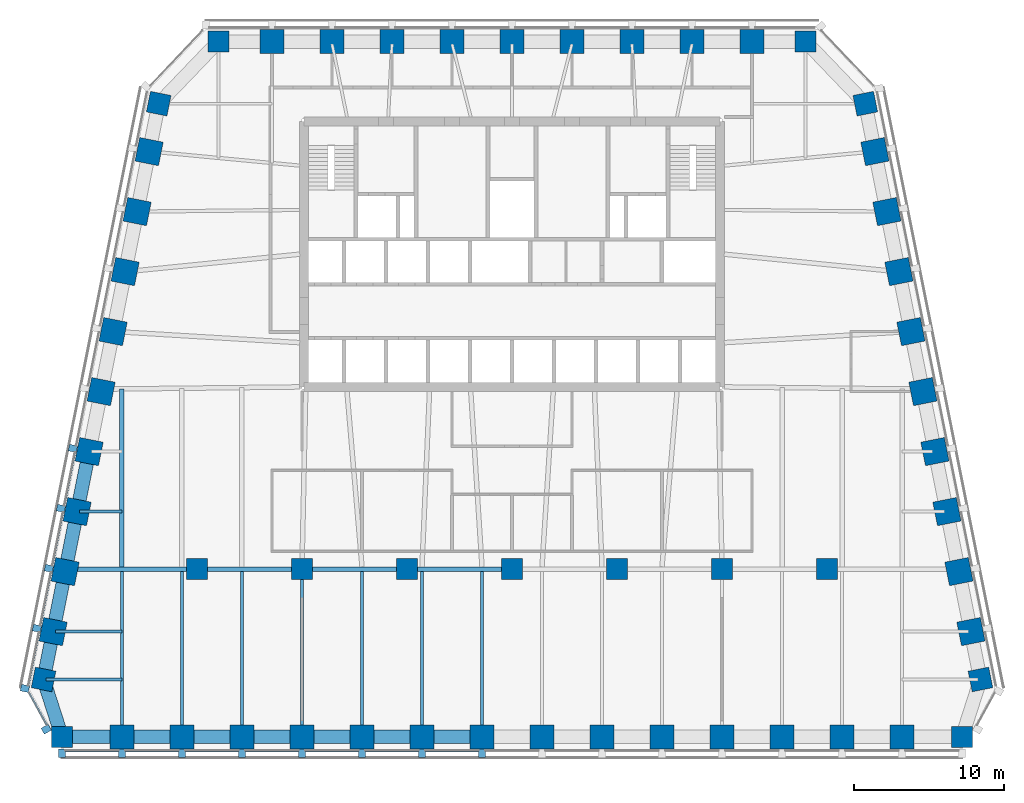
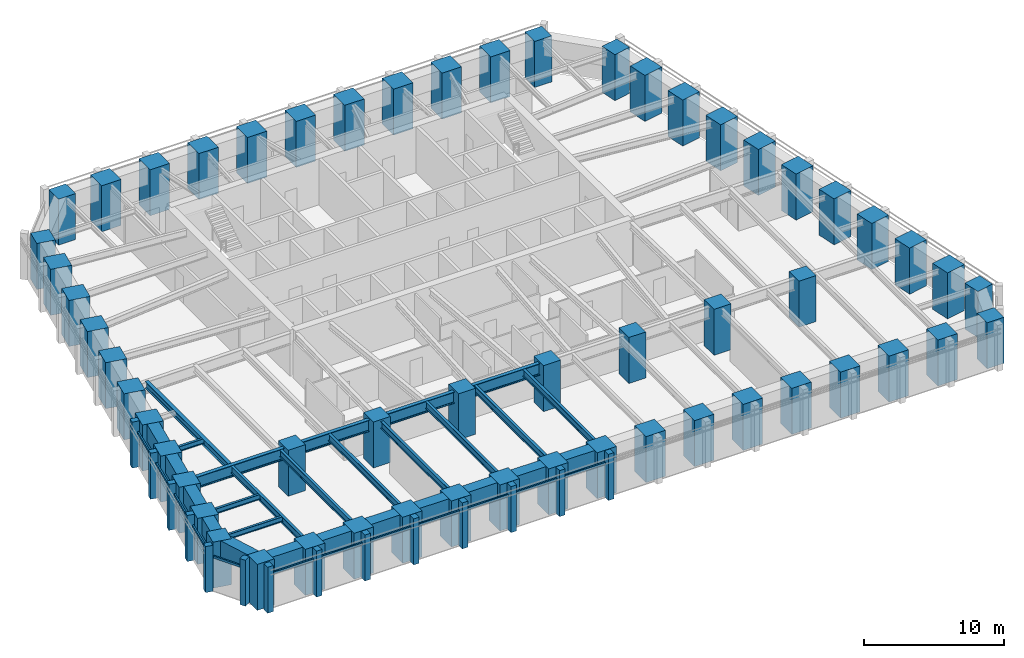
# One storey, part 1 of 9: 56 columns, 27 beams, 26 members, 3 elements without a shape of their own.
"""IFC4 building model written with IfcOpenShell, lengths in metres."""

import ifcopenshell
import ifcopenshell.guid

model = None  # the IFC model being written
_history = None  # IfcOwnerHistory: only IFC2X3 demands one
_inside = {}  # id of a spatial element -> (the spatial element, [elements in it])
_under = {}  # id of a project, library or spatial element -> (it, [spatial elements below it])
_declared = {}  # id of a project -> (the project, [libraries it declares])
_typed = {}  # id of a type object -> (the type object, [elements of that type])
_made_of = {}  # id of a material, layer set ... -> (it, [elements and type objects made of it])


def new_model(schema):
    """Start an empty IFC model of exactly this schema.

    Asked for "IFC4X3", IfcOpenShell would pick the latest addendum, in which some entities
    have other attributes; the version numbers below select the first issue.
    IFC2X3 requires an IfcOwnerHistory on every rooted entity: one is made here for all.
    """
    global model, _history
    if schema == "IFC4X3":
        model = ifcopenshell.file(schema_version=(4, 3, 0, 0))
    else:
        model = ifcopenshell.file(schema=schema)
    _inside.clear()
    _under.clear()
    _declared.clear()
    _typed.clear()
    _made_of.clear()
    _history = None
    if model.schema == "IFC2X3":
        org = make("IfcOrganization", Name="unknown")
        user = make(
            "IfcPersonAndOrganization",
            ThePerson=make("IfcPerson", FamilyName="unknown"),
            TheOrganization=org,
        )
        app = make(
            "IfcApplication",
            ApplicationDeveloper=org,
            Version="unknown",
            ApplicationFullName="unknown",
            ApplicationIdentifier="unknown",
        )
        _history = make(
            "IfcOwnerHistory",
            OwningUser=user,
            OwningApplication=app,
            ChangeAction="ADDED",
            CreationDate=0,
        )
    return model


def make(cls, **values):
    """One entity of the class cls with the attributes given. An attribute that is None is left unset."""
    return model.create_entity(
        cls, **{name: value for name, value in values.items() if value is not None}
    )


def rooted(cls, **values):
    """An entity with a GlobalId (a new one), such as an element, a storey or a relation."""
    return make(cls, GlobalId=ifcopenshell.guid.new(), OwnerHistory=_history, **values)


def si_unit(unit_type, name, prefix=None):
    """IfcSIUnit, for example si_unit("LENGTHUNIT", "METRE", prefix="MILLI")."""
    return make("IfcSIUnit", UnitType=unit_type, Prefix=prefix, Name=name)


def assignment(units):
    """IfcUnitAssignment: the units of a project."""
    return None if units is None else make("IfcUnitAssignment", Units=units)


def point(xyz):
    """IfcCartesianPoint."""
    return None if xyz is None else make("IfcCartesianPoint", Coordinates=xyz)


def direction(xyz):
    """IfcDirection."""
    return None if xyz is None else make("IfcDirection", DirectionRatios=xyz)


def frame(location, z_axis=None, x_axis=None):
    """IfcAxis2Placement3D, a coordinate frame: its origin and axes. An axis left out is left unset."""
    return make(
        "IfcAxis2Placement3D",
        Location=point(location),
        Axis=direction(z_axis),
        RefDirection=direction(x_axis),
    )


def frame_2d(location, x_axis=None):
    """IfcAxis2Placement2D, a coordinate frame in the plane: its origin and x axis."""
    return make(
        "IfcAxis2Placement2D", Location=point(location), RefDirection=direction(x_axis)
    )


def origin():
    """The frame at (0, 0, 0) with its axes left unset."""
    return frame((0.0, 0.0, 0.0))


def origin_2d():
    """The frame at (0, 0) in the plane with its x axis left unset."""
    return frame_2d((0.0, 0.0))


def place(relative_to, where):
    """IfcLocalPlacement: puts the frame where relative to a parent placement (None: the world)."""
    return make(
        "IfcLocalPlacement", PlacementRelTo=relative_to, RelativePlacement=where
    )


def context(
    kind, dimensions, precision=None, world=None, true_north=None, identifier=None
):
    """IfcGeometricRepresentationContext, for example the 3D "Model" context."""
    return make(
        "IfcGeometricRepresentationContext",
        ContextIdentifier=identifier,
        ContextType=kind,
        CoordinateSpaceDimension=dimensions,
        Precision=precision,
        WorldCoordinateSystem=world,
        TrueNorth=true_north,
    )


def subcontext(parent, identifier, kind, view, scale=None):
    """IfcGeometricRepresentationSubContext, for example "Body" below "Model"."""
    return make(
        "IfcGeometricRepresentationSubContext",
        ContextIdentifier=identifier,
        ContextType=kind,
        ParentContext=parent,
        TargetScale=scale,
        TargetView=view,
    )


def project(units=None, contexts=None):
    """IfcProject with its units and contexts."""
    return rooted(
        "IfcProject",
        Name="project",
        RepresentationContexts=contexts,
        UnitsInContext=assignment(units),
    )


def spatial(cls, under=None, at=None, **own):
    """A site, building, storey or space (cls), placed at a placement, below another one or the project."""
    s = rooted(cls, ObjectPlacement=at, **own)
    if under is not None:
        _under.setdefault(under.id(), (under, []))[1].append(s)
    return s


def profile(cls, at=None, kind="AREA", **sizes):
    """A parametric profile (cls). Its sizes go by their IFC names, for example OverallWidth=200.0."""
    return make(cls, ProfileType=kind, Position=at, **sizes)


def rectangle(**sizes):
    """IfcRectangleProfileDef."""
    return profile("IfcRectangleProfileDef", **sizes)


def i_section(**sizes):
    """IfcIShapeProfileDef."""
    return profile("IfcIShapeProfileDef", **sizes)


def extrude(swept, where, along, depth):
    """IfcExtrudedAreaSolid: the profile swept, set in the frame where, extruded along a direction by depth."""
    return make(
        "IfcExtrudedAreaSolid",
        SweptArea=swept,
        Position=where,
        ExtrudedDirection=direction(along),
        Depth=depth,
    )


def shape(context_of_items, identifier, shape_type, items):
    """IfcShapeRepresentation: the items that make up one representation, for example the "Body"."""
    return make(
        "IfcShapeRepresentation",
        ContextOfItems=context_of_items,
        RepresentationIdentifier=identifier,
        RepresentationType=shape_type,
        Items=items,
    )


def material(Name=None, Category=None):
    """IfcMaterial."""
    return make("IfcMaterial", Name=Name, Category=Category)


def material_profile(
    of_material, cross_section, Name=None, Category=None, Priority=None
):
    """IfcMaterialProfile: a cross section and its material."""
    return make(
        "IfcMaterialProfile",
        Name=Name,
        Material=of_material,
        Profile=cross_section,
        Priority=Priority,
        Category=Category,
    )


def profile_set(profiles, Name=None, composite=None):
    """IfcMaterialProfileSet."""
    return make(
        "IfcMaterialProfileSet",
        Name=Name,
        MaterialProfiles=profiles,
        CompositeProfile=composite,
    )


def made_of(thing, what):
    """Note that an element or type object is made of a material, layer set ...; save() writes the relation."""
    if what is not None:
        _made_of.setdefault(what.id(), (what, []))[1].append(thing)
    return thing


def type_object(cls, material=None, **own):
    """A type object (cls), such as IfcWallType, which elements share."""
    return made_of(rooted(cls, **own), material)


def element(
    cls,
    number,
    at=None,
    inside=None,
    cuts=None,
    type_object=None,
    material=None,
    context=None,
    identifier="Body",
    shape_type=None,
    held_by="IfcProductDefinitionShape",
    body=None,
    shapes=None,
    **own,
):
    """One element of the class cls, such as IfcWall. Its Tag is "e" and its number.

    at: its placement. inside: the storey or other place that contains it. cuts: it is an
    opening in that element (IfcRelVoidsElement). A single representation is given by context,
    identifier, shape_type and body (its items); several are given by shapes. held_by: the class
    of the entity that holds the representations. save() writes the other relations.
    """
    e = rooted(cls, Tag="e%d" % number, ObjectPlacement=at, **own)
    if body is not None:
        shapes = [shape(context, identifier, shape_type, body)]
    if shapes is not None:
        e.Representation = make(held_by, Representations=shapes)
    if inside is not None:
        _inside.setdefault(inside.id(), (inside, []))[1].append(e)
    if cuts is not None:
        rooted(
            "IfcRelVoidsElement", RelatingBuildingElement=cuts, RelatedOpeningElement=e
        )
    if type_object is not None:
        _typed.setdefault(type_object.id(), (type_object, []))[1].append(e)
    return made_of(e, material)


def aggregate(whole, parts):
    """IfcRelAggregates: a whole, such as a stair, and the parts it consists of."""
    return rooted("IfcRelAggregates", RelatingObject=whole, RelatedObjects=parts)


def save(model, path):
    """Write the relations noted so far, then the file.

    IfcRelAggregates (storeys below a building ...), IfcRelContainedInSpatialStructure (elements
    in a storey), IfcRelDefinesByType, IfcRelAssociatesMaterial and IfcRelDeclares: one each for
    every whole, place, type object, material and project.
    """
    for whole, parts in _under.values():
        aggregate(whole, parts)
    for where, things in _inside.values():
        rooted(
            "IfcRelContainedInSpatialStructure",
            RelatedElements=things,
            RelatingStructure=where,
        )
    for kind, things in _typed.values():
        rooted("IfcRelDefinesByType", RelatedObjects=things, RelatingType=kind)
    for what, things in _made_of.values():
        rooted("IfcRelAssociatesMaterial", RelatedObjects=things, RelatingMaterial=what)
    for by, libraries in _declared.values():
        rooted("IfcRelDeclares", RelatingContext=by, RelatedDefinitions=libraries)
    model.write(path)


model = new_model("IFC4")

# Units and contexts
model_context = context("Model", 3, precision=1e-05, world=origin(), true_north=direction((0.0, 1.0)))
body_context = subcontext(model_context, "Body", "Model", "MODEL_VIEW")
ifc_project = project(units=[si_unit("LENGTHUNIT", "METRE"), si_unit("AREAUNIT", "SQUARE_METRE"), si_unit("VOLUMEUNIT", "CUBIC_METRE"), si_unit("PLANEANGLEUNIT", "RADIAN"), si_unit("MASSUNIT", "GRAM", prefix="KILO")], contexts=[model_context])

# Site, building, storey
site_placement = place(None, origin())
site = spatial("IfcSite", under=ifc_project, at=site_placement, CompositionType="ELEMENT")
building_placement = place(site_placement, origin())
building = spatial("IfcBuilding", under=site, at=building_placement, Name="Isbrekke Arena Tower", CompositionType="ELEMENT")
storey_placement = place(building_placement, frame((0.0, 0.0, 178.0)))
storey = spatial("IfcBuildingStorey", under=building, at=storey_placement, Name="L40", CompositionType="ELEMENT", Elevation=178.0)

# Columns
ifc_material_1 = material(Name="Concrete B65 (C65/80)", Category="concrete")
ifc_material_profile_1 = material_profile(ifc_material_1, rectangle(XDim=1.39990234375, YDim=1.39990234375, at=origin_2d()), Name="RC 1400x1400")
ifc_profile_set_1 = profile_set([ifc_material_profile_1], Name="Concrete B65 (C65/80)")
column_type_1 = type_object("IfcColumnType", Name="C13 RC 1400 x 1400", PredefinedType="COLUMN", material=ifc_profile_set_1)
for number, where, z_axis, x_axis, name in (
    (1, (-21.0, -6.0, 0.0), (0.0, 0.0, 1.0), (1.0, 0.0, 0.0), "C13 I01"),
    (2, (-14.0, -6.0, 0.0), (0.0, 0.0, 1.0), (1.0, 0.0, 0.0), "C13 I02"),
    (3, (-7.0, -6.0, 0.0), (0.0, 0.0, 1.0), (1.0, 0.0, 0.0), "C13 I03"),
    (4, (0.0, -6.0, 0.0), (0.0, 0.0, 1.0), (1.0, 0.0, 0.0), "C13 I04"),
    (5, (7.0, -6.0, 0.0), (0.0, 0.0, 1.0), (1.0, 0.0, 0.0), "C13 I05"),
    (6, (14.0, -6.0, 0.0), (0.0, 0.0, 1.0), (1.0, 0.0, 0.0), "C13 I06"),
    (7, (21.0, -6.0, 0.0), (0.0, 0.0, 1.0), (1.0, 0.0, 0.0), "C13 I07"),
):
    element("IfcColumn", number, at=place(storey_placement, frame(where, z_axis=z_axis, x_axis=x_axis)), inside=storey, type_object=column_type_1, Name=name, PredefinedType="COLUMN", context=body_context, shape_type="SweptSolid", body=[
        extrude(rectangle(XDim=1.39990234375, YDim=1.39990234375, at=origin_2d()), origin(), (0.0, 0.0, 1.0), 4.0),
    ])
ifc_material_2 = material(Name="Concrete B65 (C65/80)", Category="concrete")
ifc_material_profile_2 = material_profile(ifc_material_2, rectangle(XDim=1.60009765625, YDim=1.60009765625, at=origin_2d()), Name="RC 1600x1600")
ifc_profile_set_2 = profile_set([ifc_material_profile_2], Name="Concrete B65 (C65/80)")
column_type_2 = type_object("IfcColumnType", Name="C4 RC 1600 x 1600", PredefinedType="COLUMN", material=ifc_profile_set_2)
for number, where, z_axis, x_axis, name in (
    (8, (-26.0, -17.175048828125, 0.0), (0.0, 0.0, 1.0), (1.0, 0.0, 0.0), "C4 S02"),
    (9, (-22.0, -17.175048828125, 0.0), (0.0, 0.0, 1.0), (1.0, 0.0, 0.0), "C4 S03"),
    (10, (-18.0, -17.175048828125, 0.0), (0.0, 0.0, 1.0), (1.0, 0.0, 0.0), "C4 S04"),
    (11, (-14.0, -17.175048828125, 0.0), (0.0, 0.0, 1.0), (1.0, 0.0, 0.0), "C4 S05"),
    (12, (-10.0, -17.175048828125, 0.0), (0.0, 0.0, 1.0), (1.0, 0.0, 0.0), "C4 S06"),
    (13, (-6.0, -17.175048828125, 0.0), (0.0, 0.0, 1.0), (1.0, 0.0, 0.0), "C4 S07"),
    (14, (-2.0, -17.175048828125, 0.0), (0.0, 0.0, 1.0), (1.0, 0.0, 0.0), "C4 S08"),
    (15, (2.0, -17.175048828125, 0.0), (0.0, 0.0, 1.0), (1.0, 0.0, 0.0), "C4 S09"),
    (16, (6.0, -17.175048828125, 0.0), (0.0, 0.0, 1.0), (1.0, 0.0, 0.0), "C4 S10"),
    (17, (10.0, -17.175048828125, 0.0), (0.0, 0.0, 1.0), (1.0, 0.0, 0.0), "C4 S11"),
    (18, (14.0, -17.175048828125, 0.0), (0.0, 0.0, 1.0), (1.0, 0.0, 0.0), "C4 S12"),
    (19, (18.0, -17.175048828125, 0.0), (0.0, 0.0, 1.0), (1.0, 0.0, 0.0), "C4 S13"),
    (20, (22.0, -17.175048828125, 0.0), (0.0, 0.0, 1.0), (1.0, 0.0, 0.0), "C4 S14"),
    (21, (26.0, -17.175048828125, 0.0), (0.0, 0.0, 1.0), (1.0, 0.0, 0.0), "C4 S15"),
    (22, (30.591064453125, -10.161865234375, 0.0), (0.0, 0.0, 1.0), (-0.196116135138, 0.980580675691, 0.0), "C4 E02"),
    (23, (29.791015625, -6.161865234375, 0.0), (0.0, 0.0, 1.0), (-0.196116135138, 0.980580675691, 0.0), "C4 E03"),
    (24, (28.990966796875, -2.161865234375, 0.0), (0.0, 0.0, 1.0), (-0.196116135138, 0.980580675691, 0.0), "C4 E04"),
    (25, (28.19091796875, 1.838134765625, 0.0), (0.0, 0.0, 1.0), (-0.196116135138, 0.980580675691, 0.0), "C4 E05"),
    (26, (27.39111328125, 5.838134765625, 0.0), (0.0, 0.0, 1.0), (-0.196116135138, 0.980580675691, 0.0), "C4 E06"),
    (27, (26.591064453125, 9.838134765625, 0.0), (0.0, 0.0, 1.0), (-0.196116135138, 0.980580675691, 0.0), "C4 E07"),
    (28, (25.791015625, 13.838134765625, 0.0), (0.0, 0.0, 1.0), (-0.196116135138, 0.980580675691, 0.0), "C4 E08"),
    (29, (24.990966796875, 17.838134765625, 0.0), (0.0, 0.0, 1.0), (-0.196116135138, 0.980580675691, 0.0), "C4 E09"),
    (30, (24.19091796875, 21.838134765625, 0.0), (0.0, 0.0, 1.0), (-0.196116135138, 0.980580675691, 0.0), "C4 E10"),
    (31, (16.0, 29.175048828125, 0.0), (0.0, 0.0, 1.0), (-1.0, 0.0, 0.0), "C4 N02"),
    (32, (12.0, 29.175048828125, 0.0), (0.0, 0.0, 1.0), (-1.0, 0.0, 0.0), "C4 N03"),
    (33, (8.0, 29.175048828125, 0.0), (0.0, 0.0, 1.0), (-1.0, 0.0, 0.0), "C4 N04"),
    (34, (4.0, 29.175048828125, 0.0), (0.0, 0.0, 1.0), (-1.0, 0.0, 0.0), "C4 N05"),
    (35, (0.0, 29.175048828125, 0.0), (0.0, 0.0, 1.0), (-1.0, 0.0, 0.0), "C4 N06"),
    (36, (-4.0, 29.175048828125, 0.0), (0.0, 0.0, 1.0), (-1.0, 0.0, 0.0), "C4 N07"),
    (37, (-8.0, 29.175048828125, 0.0), (0.0, 0.0, 1.0), (-1.0, 0.0, 0.0), "C4 N08"),
    (38, (-12.0, 29.175048828125, 0.0), (0.0, 0.0, 1.0), (-1.0, 0.0, 0.0), "C4 N09"),
    (39, (-16.0, 29.175048828125, 0.0), (0.0, 0.0, 1.0), (-1.0, 0.0, 0.0), "C4 N10"),
    (40, (-24.19091796875, 21.838134765625, 0.0), (0.0, 0.0, 1.0), (-0.196116135138, -0.980580675691, 0.0), "C4 W02"),
    (41, (-24.990966796875, 17.838134765625, 0.0), (0.0, 0.0, 1.0), (-0.196116135138, -0.980580675691, 0.0), "C4 W03"),
    (42, (-25.791015625, 13.838134765625, 0.0), (0.0, 0.0, 1.0), (-0.196116135138, -0.980580675691, 0.0), "C4 W04"),
    (43, (-26.591064453125, 9.838134765625, 0.0), (0.0, 0.0, 1.0), (-0.196116135138, -0.980580675691, 0.0), "C4 W05"),
    (44, (-27.39111328125, 5.838134765625, 0.0), (0.0, 0.0, 1.0), (-0.196116135138, -0.980580675691, 0.0), "C4 W06"),
    (45, (-28.19091796875, 1.838134765625, 0.0), (0.0, 0.0, 1.0), (-0.196116135138, -0.980580675691, 0.0), "C4 W07"),
    (46, (-28.990966796875, -2.161865234375, 0.0), (0.0, 0.0, 1.0), (-0.196116135138, -0.980580675691, 0.0), "C4 W08"),
    (47, (-29.791015625, -6.161865234375, 0.0), (0.0, 0.0, 1.0), (-0.196116135138, -0.980580675691, 0.0), "C4 W09"),
    (48, (-30.591064453125, -10.161865234375, 0.0), (0.0, 0.0, 1.0), (-0.196116135138, -0.980580675691, 0.0), "C4 W10"),
):
    element("IfcColumn", number, at=place(storey_placement, frame(where, z_axis=z_axis, x_axis=x_axis)), inside=storey, type_object=column_type_2, Name=name, PredefinedType="COLUMN", context=body_context, shape_type="SweptSolid", body=[
        extrude(rectangle(XDim=1.60009765625, YDim=1.60009765625, at=origin_2d()), origin(), (0.0, 0.0, 1.0), 4.0),
    ])
ifc_material_3 = material(Name="Concrete B65 (C65/80)", Category="concrete")
ifc_material_profile_3 = material_profile(ifc_material_3, rectangle(XDim=1.39990234375, YDim=1.39990234375, at=origin_2d()), Name="RC 1400x1400")
ifc_profile_set_3 = profile_set([ifc_material_profile_3], Name="Concrete B65 (C65/80)")
column_type_3 = type_object("IfcColumnType", Name="C8 RC 1400 x 1400", PredefinedType="COLUMN", material=ifc_profile_set_3)
for number, where, z_axis, x_axis, name in (
    (49, (-30.0, -17.175048828125, 0.0), (0.0, 0.0, 1.0), (1.0, 0.0, 0.0), "C8 S01"),
    (50, (30.0, -17.175048828125, 0.0), (0.0, 0.0, 1.0), (1.0, 0.0, 0.0), "C8 S16"),
    (51, (31.229248046875, -13.352783203125, 0.0), (0.0, 0.0, 1.0), (-0.196116135138, 0.980580675691, 0.0), "C8 E01"),
    (52, (23.552734375, 25.029296875, 0.0), (0.0, 0.0, 1.0), (-0.196116135138, 0.980580675691, 0.0), "C8 E11"),
    (53, (19.574951171875, 29.175048828125, 0.0), (0.0, 0.0, 1.0), (-1.0, 0.0, 0.0), "C8 N01"),
    (54, (-19.574951171875, 29.175048828125, 0.0), (0.0, 0.0, 1.0), (-1.0, 0.0, 0.0), "C8 N11"),
    (55, (-23.552734375, 25.029296875, 0.0), (0.0, 0.0, 1.0), (-0.196116135138, -0.980580675691, 0.0), "C8 W01"),
    (56, (-31.229248046875, -13.352783203125, 0.0), (0.0, 0.0, 1.0), (-0.196116135138, -0.980580675691, 0.0), "C8 W11"),
):
    element("IfcColumn", number, at=place(storey_placement, frame(where, z_axis=z_axis, x_axis=x_axis)), inside=storey, type_object=column_type_3, Name=name, PredefinedType="COLUMN", context=body_context, shape_type="SweptSolid", body=[
        extrude(rectangle(XDim=1.39990234375, YDim=1.39990234375, at=origin_2d()), origin(), (0.0, 0.0, 1.0), 4.0),
    ])

# Beams
ifc_material_4 = material(Name="Steel S355", Category="steel")
ifc_material_profile_4 = material_profile(ifc_material_4, i_section(OverallWidth=0.219970703125, OverallDepth=0.60009765625, WebThickness=0.011962890625, FlangeThickness=0.01904296875, FilletRadius=0.02392578125, at=origin_2d()), Name="IPE 600")
ifc_profile_set_4 = profile_set([ifc_material_profile_4], Name="Steel S355")
beam_type_1 = type_object("IfcBeamType", Name="B1 IPE 600", PredefinedType="BEAM", material=ifc_profile_set_4)
for number, where, z_axis, x_axis, name in (
    (57, (-26.0, -17.02490234375, 3.550048828125), (0.0, 1.0, 0.0), (-1.0, 0.0, 0.0), "B1 beam S-S02 L40"),
    (58, (-22.0, -17.02490234375, 3.550048828125), (0.0, 1.0, 0.0), (-1.0, 0.0, 0.0), "B1 beam S-S03 L40"),
    (59, (-18.0, -17.02490234375, 3.550048828125), (0.0, 1.0, 0.0), (-1.0, 0.0, 0.0), "B1 beam S-S04 L40"),
):
    element("IfcBeam", number, at=place(storey_placement, frame(where, z_axis=z_axis, x_axis=x_axis)), inside=storey, type_object=beam_type_1, Name=name, PredefinedType="BEAM", context=body_context, shape_type="SweptSolid", body=[
        extrude(i_section(OverallWidth=0.219970703125, OverallDepth=0.60009765625, WebThickness=0.011962890625, FlangeThickness=0.01904296875, FilletRadius=0.02392578125, at=origin_2d()), origin(), (0.0, 0.0, 1.0), 10.8740234375),
    ])
beam_1_placement = place(storey_placement, frame((-14.0, -17.02490234375, 3.550048828125), z_axis=(0.0, 1.0, 0.0), x_axis=(-1.0, 0.0, 0.0)))
element("IfcBeam", 60, at=beam_1_placement, inside=storey, type_object=beam_type_1, Name="B1 beam S-S05 L40", PredefinedType="BEAM", context=body_context, shape_type="SweptSolid", body=[
    extrude(i_section(OverallWidth=0.219970703125, OverallDepth=0.60009765625, WebThickness=0.011962890625, FlangeThickness=0.01904296875, FilletRadius=0.02392578125, at=origin_2d()), origin(), (0.0, 0.0, 1.0), 10.875),
])
for number, where, z_axis, x_axis, name in (
    (61, (-10.0, -17.02490234375, 3.550048828125), (0.0, 1.0, 0.0), (-1.0, 0.0, 0.0), "B1 beam S-S06 L40"),
    (62, (-6.0, -17.02490234375, 3.550048828125), (0.0, 1.0, 0.0), (-1.0, 0.0, 0.0), "B1 beam S-S07 L40"),
    (63, (-2.0, -17.02490234375, 3.550048828125), (0.0, 1.0, 0.0), (-1.0, 0.0, 0.0), "B1 beam S-S08 L40"),
):
    element("IfcBeam", number, at=place(storey_placement, frame(where, z_axis=z_axis, x_axis=x_axis)), inside=storey, type_object=beam_type_1, Name=name, PredefinedType="BEAM", context=body_context, shape_type="SweptSolid", body=[
        extrude(i_section(OverallWidth=0.219970703125, OverallDepth=0.60009765625, WebThickness=0.011962890625, FlangeThickness=0.01904296875, FilletRadius=0.02392578125, at=origin_2d()), origin(), (0.0, 0.0, 1.0), 10.8740234375),
    ])
ifc_material_5 = material(Name="Steel S355", Category="steel")
ifc_material_profile_5 = material_profile(ifc_material_5, i_section(OverallWidth=0.18994140625, OverallDepth=0.449951171875, WebThickness=0.009521484375, FlangeThickness=0.0146484375, FilletRadius=0.02099609375, at=origin_2d()), Name="IPE 450")
ifc_profile_set_5 = profile_set([ifc_material_profile_5], Name="Steel S355")
beam_type_2 = type_object("IfcBeamType", Name="B2 IPE 450", PredefinedType="BEAM", material=ifc_profile_set_5)
beam_2_placement = place(storey_placement, frame((-28.841064453125, -2.161865234375, 3.625), z_axis=(1.0, 0.0, 0.0), x_axis=(0.0, 1.0, 0.0)))
element("IfcBeam", 64, at=beam_2_placement, inside=storey, type_object=beam_type_2, Name="B2 beam E-W08 L40", PredefinedType="BEAM", context=body_context, shape_type="SweptSolid", body=[
    extrude(i_section(OverallWidth=0.18994140625, OverallDepth=0.449951171875, WebThickness=0.009521484375, FlangeThickness=0.0146484375, FilletRadius=0.02099609375, at=origin_2d()), origin(), (0.0, 0.0, 1.0), 2.841064453125),
])
beam_3_placement = place(storey_placement, frame((-30.44091796875, -10.161865234375, 3.625), z_axis=(1.0, 0.0, 0.0), x_axis=(0.0, 1.0, 0.0)))
element("IfcBeam", 65, at=beam_3_placement, inside=storey, type_object=beam_type_2, Name="B2 beam E-W10 L40", PredefinedType="BEAM", context=body_context, shape_type="SweptSolid", body=[
    extrude(i_section(OverallWidth=0.18994140625, OverallDepth=0.449951171875, WebThickness=0.009521484375, FlangeThickness=0.0146484375, FilletRadius=0.02099609375, at=origin_2d()), origin(), (0.0, 0.0, 1.0), 4.44091796875),
])
beam_4_placement = place(storey_placement, frame((-31.079345703125, -13.352783203125, 3.625), z_axis=(1.0, 0.0, 0.0), x_axis=(0.0, 1.0, 0.0)))
element("IfcBeam", 66, at=beam_4_placement, inside=storey, type_object=beam_type_2, Name="B2 beam E-W11 L40", PredefinedType="BEAM", context=body_context, shape_type="SweptSolid", body=[
    extrude(i_section(OverallWidth=0.18994140625, OverallDepth=0.449951171875, WebThickness=0.009521484375, FlangeThickness=0.0146484375, FilletRadius=0.02099609375, at=origin_2d()), origin(), (0.0, 0.0, 1.0), 5.079345703125),
])
ifc_material_6 = material(Name="Steel S355", Category="steel")
ifc_material_profile_6 = material_profile(ifc_material_6, i_section(OverallWidth=0.300048828125, OverallDepth=0.60009765625, WebThickness=0.015380859375, FlangeThickness=0.030029296875, FilletRadius=0.027099609375, at=origin_2d()), Name="HEB 600")
ifc_profile_set_6 = profile_set([ifc_material_profile_6], Name="Steel S355")
beam_type_3 = type_object("IfcBeamType", Name="B7 HEB 600", PredefinedType="BEAM", material=ifc_profile_set_6)
beam_5_placement = place(storey_placement, frame((-26.0, -5.84912109375, 3.550048828125), z_axis=(0.0, 1.0, 0.0), x_axis=(-1.0, 0.0, 0.0)))
element("IfcBeam", 67, at=beam_5_placement, inside=storey, type_object=beam_type_3, Name="B7 beam C-M01 L40", PredefinedType="BEAM", context=body_context, shape_type="SweptSolid", body=[
    extrude(i_section(OverallWidth=0.300048828125, OverallDepth=0.60009765625, WebThickness=0.015380859375, FlangeThickness=0.030029296875, FilletRadius=0.027099609375, at=origin_2d()), origin(), (0.0, 0.0, 1.0), 11.864990234375),
])

# Curtain wall, members
ifc_material_7 = material(Name="Glazed aluminium curtain wall", Category="aluminium")
curtain_wall_type = type_object("IfcCurtainWallType", Name="CWH TOWER CURTAIN WALL HIGH ZONE", PredefinedType="USERDEFINED", material=ifc_material_7)
curtain_wall_1_placement = place(storey_placement, origin())
curtain_wall_1 = element("IfcCurtainWall", 68, at=curtain_wall_1_placement, inside=storey, type_object=curtain_wall_type, Name="CWH curtain wall L40-S", ObjectType="TOWER CURTAIN WALL HIGH ZONE", PredefinedType="USERDEFINED")
ifc_material_8 = material(Name="Aluminium mullion, pale brick slip cladding", Category="masonry")
ifc_material_profile_7 = material_profile(ifc_material_8, rectangle(XDim=0.449951171875, YDim=0.550048828125, at=origin_2d()), Name="PIER 450X550")
ifc_profile_set_7 = profile_set([ifc_material_profile_7], Name="Aluminium mullion, pale brick slip cladding")
member_type_1 = type_object("IfcMemberType", Name="CWH-M PIER MULLION 450 x 550", PredefinedType="MULLION", material=ifc_profile_set_7)
member_1_placement = place(storey_placement, frame((-30.0, -18.27490234375, 0.0), z_axis=(0.0, 0.0, 1.0), x_axis=(1.0, 0.0, 0.0)))
member_1 = element("IfcMember", 69, at=member_1_placement, type_object=member_type_1, Name="CWH-M mullion 1", PredefinedType="MULLION", context=body_context, shape_type="SweptSolid", body=[
    extrude(rectangle(XDim=0.449951171875, YDim=0.550048828125, at=origin_2d()), origin(), (0.0, 0.0, 1.0), 4.0),
])
member_2_placement = place(storey_placement, frame((-26.0, -18.27490234375, 0.0), z_axis=(0.0, 0.0, 1.0), x_axis=(1.0, 0.0, 0.0)))
member_2 = element("IfcMember", 70, at=member_2_placement, type_object=member_type_1, Name="CWH-M mullion 2", PredefinedType="MULLION", context=body_context, shape_type="SweptSolid", body=[
    extrude(rectangle(XDim=0.449951171875, YDim=0.550048828125, at=origin_2d()), origin(), (0.0, 0.0, 1.0), 4.0),
])
member_3_placement = place(storey_placement, frame((-22.0, -18.27490234375, 0.0), z_axis=(0.0, 0.0, 1.0), x_axis=(1.0, 0.0, 0.0)))
member_3 = element("IfcMember", 71, at=member_3_placement, type_object=member_type_1, Name="CWH-M mullion 3", PredefinedType="MULLION", context=body_context, shape_type="SweptSolid", body=[
    extrude(rectangle(XDim=0.449951171875, YDim=0.550048828125, at=origin_2d()), origin(), (0.0, 0.0, 1.0), 4.0),
])
member_4_placement = place(storey_placement, frame((-18.0, -18.27490234375, 0.0), z_axis=(0.0, 0.0, 1.0), x_axis=(1.0, 0.0, 0.0)))
member_4 = element("IfcMember", 72, at=member_4_placement, type_object=member_type_1, Name="CWH-M mullion 4", PredefinedType="MULLION", context=body_context, shape_type="SweptSolid", body=[
    extrude(rectangle(XDim=0.449951171875, YDim=0.550048828125, at=origin_2d()), origin(), (0.0, 0.0, 1.0), 4.0),
])
member_5_placement = place(storey_placement, frame((-14.0, -18.27490234375, 0.0), z_axis=(0.0, 0.0, 1.0), x_axis=(1.0, 0.0, 0.0)))
member_5 = element("IfcMember", 73, at=member_5_placement, type_object=member_type_1, Name="CWH-M mullion 5", PredefinedType="MULLION", context=body_context, shape_type="SweptSolid", body=[
    extrude(rectangle(XDim=0.449951171875, YDim=0.550048828125, at=origin_2d()), origin(), (0.0, 0.0, 1.0), 4.0),
])
member_6_placement = place(storey_placement, frame((-10.0, -18.27490234375, 0.0), z_axis=(0.0, 0.0, 1.0), x_axis=(1.0, 0.0, 0.0)))
member_6 = element("IfcMember", 74, at=member_6_placement, type_object=member_type_1, Name="CWH-M mullion 6", PredefinedType="MULLION", context=body_context, shape_type="SweptSolid", body=[
    extrude(rectangle(XDim=0.449951171875, YDim=0.550048828125, at=origin_2d()), origin(), (0.0, 0.0, 1.0), 4.0),
])
member_7_placement = place(storey_placement, frame((-6.0, -18.27490234375, 0.0), z_axis=(0.0, 0.0, 1.0), x_axis=(1.0, 0.0, 0.0)))
member_7 = element("IfcMember", 75, at=member_7_placement, type_object=member_type_1, Name="CWH-M mullion 7", PredefinedType="MULLION", context=body_context, shape_type="SweptSolid", body=[
    extrude(rectangle(XDim=0.449951171875, YDim=0.550048828125, at=origin_2d()), origin(), (0.0, 0.0, 1.0), 4.0),
])
member_8_placement = place(storey_placement, frame((-2.0, -18.27490234375, 0.0), z_axis=(0.0, 0.0, 1.0), x_axis=(1.0, 0.0, 0.0)))
member_8 = element("IfcMember", 76, at=member_8_placement, type_object=member_type_1, Name="CWH-M mullion 8", PredefinedType="MULLION", context=body_context, shape_type="SweptSolid", body=[
    extrude(rectangle(XDim=0.449951171875, YDim=0.550048828125, at=origin_2d()), origin(), (0.0, 0.0, 1.0), 4.0),
])

curtain_wall_2_placement = place(storey_placement, origin())
curtain_wall_2 = element("IfcCurtainWall", 77, at=curtain_wall_2_placement, inside=storey, type_object=curtain_wall_type, Name="CWH curtain wall L40-W", ObjectType="TOWER CURTAIN WALL HIGH ZONE", PredefinedType="USERDEFINED")
member_9_placement = place(storey_placement, frame((-29.269775390625, 2.053955078125, 0.0), z_axis=(0.0, 0.0, 1.0), x_axis=(-0.196116135138, -0.980580675691, 0.0)))
member_9 = element("IfcMember", 78, at=member_9_placement, type_object=member_type_1, Name="CWH-M mullion 6", PredefinedType="MULLION", context=body_context, shape_type="SweptSolid", body=[
    extrude(rectangle(XDim=0.449951171875, YDim=0.550048828125, at=origin_2d()), origin(), (0.0, 0.0, 1.0), 4.0),
])
member_10_placement = place(storey_placement, frame((-30.069580078125, -1.946044921875, 0.0), z_axis=(0.0, 0.0, 1.0), x_axis=(-0.196116135138, -0.980580675691, 0.0)))
member_10 = element("IfcMember", 79, at=member_10_placement, type_object=member_type_1, Name="CWH-M mullion 7", PredefinedType="MULLION", context=body_context, shape_type="SweptSolid", body=[
    extrude(rectangle(XDim=0.449951171875, YDim=0.550048828125, at=origin_2d()), origin(), (0.0, 0.0, 1.0), 4.0),
])
member_11_placement = place(storey_placement, frame((-30.86962890625, -5.946044921875, 0.0), z_axis=(0.0, 0.0, 1.0), x_axis=(-0.196116135138, -0.980580675691, 0.0)))
member_11 = element("IfcMember", 80, at=member_11_placement, type_object=member_type_1, Name="CWH-M mullion 8", PredefinedType="MULLION", context=body_context, shape_type="SweptSolid", body=[
    extrude(rectangle(XDim=0.449951171875, YDim=0.550048828125, at=origin_2d()), origin(), (0.0, 0.0, 1.0), 4.0),
])
member_12_placement = place(storey_placement, frame((-31.669677734375, -9.946044921875, 0.0), z_axis=(0.0, 0.0, 1.0), x_axis=(-0.196116135138, -0.980580675691, 0.0)))
member_12 = element("IfcMember", 81, at=member_12_placement, type_object=member_type_1, Name="CWH-M mullion 9", PredefinedType="MULLION", context=body_context, shape_type="SweptSolid", body=[
    extrude(rectangle(XDim=0.449951171875, YDim=0.550048828125, at=origin_2d()), origin(), (0.0, 0.0, 1.0), 4.0),
])
member_13_placement = place(storey_placement, frame((-32.4697265625, -13.946044921875, 0.0), z_axis=(0.0, 0.0, 1.0), x_axis=(-0.196116135138, -0.980580675691, 0.0)))
member_13 = element("IfcMember", 82, at=member_13_placement, type_object=member_type_1, Name="CWH-M mullion 10", PredefinedType="MULLION", context=body_context, shape_type="SweptSolid", body=[
    extrude(rectangle(XDim=0.449951171875, YDim=0.550048828125, at=origin_2d()), origin(), (0.0, 0.0, 1.0), 4.0),
])

# Curtain wall, member
curtain_wall_3_placement = place(storey_placement, origin())
curtain_wall_3 = element("IfcCurtainWall", 83, at=curtain_wall_3_placement, inside=storey, type_object=curtain_wall_type, Name="CWH curtain wall L40-WS", ObjectType="TOWER CURTAIN WALL HIGH ZONE", PredefinedType="USERDEFINED")
member_14_placement = place(storey_placement, frame((-31.04638671875, -16.66796875, 0.0), z_axis=(0.0, 0.0, 1.0), x_axis=(0.481918749773, -0.876215908676, 0.0)))
member_14 = element("IfcMember", 84, at=member_14_placement, type_object=member_type_1, Name="CWH-M mullion 1", PredefinedType="MULLION", context=body_context, shape_type="SweptSolid", body=[
    extrude(rectangle(XDim=0.449951171875, YDim=0.550048828125, at=origin_2d()), origin(), (0.0, 0.0, 1.0), 4.0),
])

# Member
ifc_material_9 = material(Name="Aluminium transom", Category="aluminium")
ifc_material_profile_8 = material_profile(ifc_material_9, rectangle(XDim=0.1201171875, YDim=0.199951171875, at=origin_2d()), Name="TRANSOM 120X200")
ifc_profile_set_8 = profile_set([ifc_material_profile_8], Name="Aluminium transom")
member_type_2 = type_object("IfcMemberType", Name="CWH-T TRANSOM 120 x 200", PredefinedType="USERDEFINED", material=ifc_profile_set_8)
member_15_placement = place(storey_placement, frame((-29.77490234375, -18.10009765625, 3.0), z_axis=(1.0, 0.0, 0.0), x_axis=(0.0, 1.0, 0.0)))
member_15 = element("IfcMember", 85, at=member_15_placement, type_object=member_type_2, Name="CWH-T transom 1", ObjectType="TRANSOM", PredefinedType="USERDEFINED", context=body_context, shape_type="SweptSolid", body=[
    extrude(rectangle(XDim=0.1201171875, YDim=0.199951171875, at=origin_2d()), origin(), (0.0, 0.0, 1.0), 3.5498046875),
])

member_16_placement = place(storey_placement, frame((-25.77490234375, -18.10009765625, 3.0), z_axis=(1.0, 0.0, 0.0), x_axis=(0.0, 1.0, 0.0)))
member_16 = element("IfcMember", 86, at=member_16_placement, type_object=member_type_2, Name="CWH-T transom 2", ObjectType="TRANSOM", PredefinedType="USERDEFINED", context=body_context, shape_type="SweptSolid", body=[
    extrude(rectangle(XDim=0.1201171875, YDim=0.199951171875, at=origin_2d()), origin(), (0.0, 0.0, 1.0), 3.5498046875),
])

member_17_placement = place(storey_placement, frame((-21.77490234375, -18.10009765625, 3.0), z_axis=(1.0, 0.0, 0.0), x_axis=(0.0, 1.0, 0.0)))
member_17 = element("IfcMember", 87, at=member_17_placement, type_object=member_type_2, Name="CWH-T transom 3", ObjectType="TRANSOM", PredefinedType="USERDEFINED", context=body_context, shape_type="SweptSolid", body=[
    extrude(rectangle(XDim=0.1201171875, YDim=0.199951171875, at=origin_2d()), origin(), (0.0, 0.0, 1.0), 3.5498046875),
])

member_18_placement = place(storey_placement, frame((-17.77490234375, -18.10009765625, 3.0), z_axis=(1.0, 0.0, 0.0), x_axis=(0.0, 1.0, 0.0)))
member_18 = element("IfcMember", 88, at=member_18_placement, type_object=member_type_2, Name="CWH-T transom 4", ObjectType="TRANSOM", PredefinedType="USERDEFINED", context=body_context, shape_type="SweptSolid", body=[
    extrude(rectangle(XDim=0.1201171875, YDim=0.199951171875, at=origin_2d()), origin(), (0.0, 0.0, 1.0), 3.5498046875),
])

member_19_placement = place(storey_placement, frame((-13.77490234375, -18.10009765625, 3.0), z_axis=(1.0, 0.0, 0.0), x_axis=(0.0, 1.0, 0.0)))
member_19 = element("IfcMember", 89, at=member_19_placement, type_object=member_type_2, Name="CWH-T transom 5", ObjectType="TRANSOM", PredefinedType="USERDEFINED", context=body_context, shape_type="SweptSolid", body=[
    extrude(rectangle(XDim=0.1201171875, YDim=0.199951171875, at=origin_2d()), origin(), (0.0, 0.0, 1.0), 3.5498046875),
])

member_20_placement = place(storey_placement, frame((-9.77490234375, -18.10009765625, 3.0), z_axis=(1.0, 0.0, 0.0), x_axis=(0.0, 1.0, 0.0)))
member_20 = element("IfcMember", 90, at=member_20_placement, type_object=member_type_2, Name="CWH-T transom 6", ObjectType="TRANSOM", PredefinedType="USERDEFINED", context=body_context, shape_type="SweptSolid", body=[
    extrude(rectangle(XDim=0.1201171875, YDim=0.199951171875, at=origin_2d()), origin(), (0.0, 0.0, 1.0), 3.5498046875),
])

member_21_placement = place(storey_placement, frame((-5.77490234375, -18.10009765625, 3.0), z_axis=(1.0, 0.0, 0.0), x_axis=(0.0, 1.0, 0.0)))
member_21 = element("IfcMember", 91, at=member_21_placement, type_object=member_type_2, Name="CWH-T transom 7", ObjectType="TRANSOM", PredefinedType="USERDEFINED", context=body_context, shape_type="SweptSolid", body=[
    extrude(rectangle(XDim=0.1201171875, YDim=0.199951171875, at=origin_2d()), origin(), (0.0, 0.0, 1.0), 3.5498046875),
])

aggregate(curtain_wall_1, [member_1, member_2, member_3, member_4, member_5, member_6, member_7, member_8, member_15, member_16, member_17, member_18, member_19, member_20, member_21])

member_22_placement = place(storey_placement, frame((-29.14208984375, 1.799072265625, 3.0), z_axis=(-0.196154943734, -0.980572913173, 0.0), x_axis=(0.980572913173, -0.196154943734, 0.0)))
member_22 = element("IfcMember", 92, at=member_22_placement, type_object=member_type_2, Name="CWH-T transom 7", ObjectType="TRANSOM", PredefinedType="USERDEFINED", context=body_context, shape_type="SweptSolid", body=[
    extrude(rectangle(XDim=0.1201171875, YDim=0.199951171875, at=origin_2d()), origin(), (0.0, 0.0, 1.0), 3.62939453125),
])

member_23_placement = place(storey_placement, frame((-29.942138671875, -2.200927734375, 3.0), z_axis=(-0.196154943734, -0.980572913173, 0.0), x_axis=(0.980572913173, -0.196154943734, 0.0)))
member_23 = element("IfcMember", 93, at=member_23_placement, type_object=member_type_2, Name="CWH-T transom 8", ObjectType="TRANSOM", PredefinedType="USERDEFINED", context=body_context, shape_type="SweptSolid", body=[
    extrude(rectangle(XDim=0.1201171875, YDim=0.199951171875, at=origin_2d()), origin(), (0.0, 0.0, 1.0), 3.62939453125),
])

member_24_placement = place(storey_placement, frame((-30.7421875, -6.200927734375, 3.0), z_axis=(-0.196090262229, -0.980585849918, 0.0), x_axis=(0.980585849918, -0.196090262229, 0.0)))
member_24 = element("IfcMember", 94, at=member_24_placement, type_object=member_type_2, Name="CWH-T transom 9", ObjectType="TRANSOM", PredefinedType="USERDEFINED", context=body_context, shape_type="SweptSolid", body=[
    extrude(rectangle(XDim=0.1201171875, YDim=0.199951171875, at=origin_2d()), origin(), (0.0, 0.0, 1.0), 3.62939453125),
])

member_25_placement = place(storey_placement, frame((-31.542236328125, -10.200927734375, 3.0), z_axis=(-0.196090262229, -0.980585849918, 0.0), x_axis=(0.980585849918, -0.196090262229, 0.0)))
member_25 = element("IfcMember", 95, at=member_25_placement, type_object=member_type_2, Name="CWH-T transom 10", ObjectType="TRANSOM", PredefinedType="USERDEFINED", context=body_context, shape_type="SweptSolid", body=[
    extrude(rectangle(XDim=0.1201171875, YDim=0.199951171875, at=origin_2d()), origin(), (0.0, 0.0, 1.0), 3.62939453125),
])

aggregate(curtain_wall_2, [member_9, member_10, member_11, member_12, member_13, member_22, member_23, member_24, member_25])

member_26_placement = place(storey_placement, frame((-32.17919921875, -14.245361328125, 3.0), z_axis=(0.481957101782, -0.876194813978, 0.0), x_axis=(0.876194813978, 0.481957101782, 0.0)))
member_26 = element("IfcMember", 96, at=member_26_placement, type_object=member_type_2, Name="CWH-T transom 1", ObjectType="TRANSOM", PredefinedType="USERDEFINED", context=body_context, shape_type="SweptSolid", body=[
    extrude(rectangle(XDim=0.1201171875, YDim=0.199951171875, at=origin_2d()), origin(), (0.0, 0.0, 1.0), 2.443603515625),
])

aggregate(curtain_wall_3, [member_14, member_26])

# Beams
ifc_material_10 = material(Name="Steel S355", Category="steel")
ifc_material_profile_9 = material_profile(ifc_material_10, i_section(OverallWidth=0.302001953125, OverallDepth=1.008056640625, WebThickness=0.02099609375, FlangeThickness=0.0400390625, FilletRadius=0.030029296875, at=origin_2d()), Name="HEM 1000")
ifc_profile_set_9 = profile_set([ifc_material_profile_9], Name="Steel S355")
beam_type_4 = type_object("IfcBeamType", Name="G1 HEM 1000", PredefinedType="BEAM", material=ifc_profile_set_9)
beam_6_placement = place(storey_placement, frame((-29.791015625, -6.0, 3.345947265625), z_axis=(1.0, 0.0, 0.0), x_axis=(0.0, 1.0, 0.0)))
element("IfcBeam", 97, at=beam_6_placement, inside=storey, type_object=beam_type_4, Name="G1 beam G1-01 L40", PredefinedType="BEAM", context=body_context, shape_type="SweptSolid", body=[
    extrude(i_section(OverallWidth=0.302001953125, OverallDepth=1.008056640625, WebThickness=0.02099609375, FlangeThickness=0.0400390625, FilletRadius=0.030029296875, at=origin_2d()), origin(), (0.0, 0.0, 1.0), 8.64111328125),
])
for number, where, z_axis, x_axis, name in (
    (98, (-20.85009765625, -6.0, 3.345947265625), (1.0, 0.0, 0.0), (0.0, 1.0, 0.0), "G1 beam G1-02 L40"),
    (99, (-13.85009765625, -6.0, 3.345947265625), (1.0, 0.0, 0.0), (0.0, 1.0, 0.0), "G1 beam G1-03 L40"),
    (100, (-6.85009765625, -6.0, 3.345947265625), (1.0, 0.0, 0.0), (0.0, 1.0, 0.0), "G1 beam G1-04 L40"),
):
    element("IfcBeam", number, at=place(storey_placement, frame(where, z_axis=z_axis, x_axis=x_axis)), inside=storey, type_object=beam_type_4, Name=name, PredefinedType="BEAM", context=body_context, shape_type="SweptSolid", body=[
        extrude(i_section(OverallWidth=0.302001953125, OverallDepth=1.008056640625, WebThickness=0.02099609375, FlangeThickness=0.0400390625, FilletRadius=0.030029296875, at=origin_2d()), origin(), (0.0, 0.0, 1.0), 6.7001953125),
    ])
ifc_material_11 = material(Name="Concrete B65 (C65/80)", Category="concrete")
ifc_material_profile_10 = material_profile(ifc_material_11, rectangle(XDim=0.89990234375, YDim=1.5, at=origin_2d()), Name="RC 900x1500")
ifc_profile_set_10 = profile_set([ifc_material_profile_10], Name="Concrete B65 (C65/80)")
beam_type_5 = type_object("IfcBeamType", Name="SB3 RC 900 x 1500", PredefinedType="SPANDREL", material=ifc_profile_set_10)
for number, where, z_axis, x_axis, name in (
    (101, (-29.85009765625, -17.175048828125, 3.25), (1.0, 0.0, 0.0), (0.0, 1.0, 0.0), "SB3 spandrel S01-S02 L40"),
    (102, (-25.85009765625, -17.175048828125, 3.25), (1.0, 0.0, 0.0), (0.0, 1.0, 0.0), "SB3 spandrel S02-S03 L40"),
    (103, (-21.85009765625, -17.175048828125, 3.25), (1.0, 0.0, 0.0), (0.0, 1.0, 0.0), "SB3 spandrel S03-S04 L40"),
    (104, (-17.85009765625, -17.175048828125, 3.25), (1.0, 0.0, 0.0), (0.0, 1.0, 0.0), "SB3 spandrel S04-S05 L40"),
    (105, (-13.85009765625, -17.175048828125, 3.25), (1.0, 0.0, 0.0), (0.0, 1.0, 0.0), "SB3 spandrel S05-S06 L40"),
    (106, (-9.85009765625, -17.175048828125, 3.25), (1.0, 0.0, 0.0), (0.0, 1.0, 0.0), "SB3 spandrel S06-S07 L40"),
    (107, (-5.85009765625, -17.175048828125, 3.25), (1.0, 0.0, 0.0), (0.0, 1.0, 0.0), "SB3 spandrel S07-S08 L40"),
):
    element("IfcBeam", number, at=place(storey_placement, frame(where, z_axis=z_axis, x_axis=x_axis)), inside=storey, type_object=beam_type_5, Name=name, PredefinedType="SPANDREL", context=body_context, shape_type="SweptSolid", body=[
        extrude(rectangle(XDim=0.89990234375, YDim=1.5, at=origin_2d()), origin(), (0.0, 0.0, 1.0), 3.7001953125),
    ])
for number, where, z_axis, x_axis, name in (
    (108, (-28.220458984375, 1.691162109375, 3.25), (-0.196128558387, -0.980578190959, 0.0), (0.980578190959, -0.196128558387, 0.0), "SB3 spandrel W07-W08 L40"),
    (109, (-29.0205078125, -2.308837890625, 3.25), (-0.196128558387, -0.980578190959, 0.0), (0.980578190959, -0.196128558387, 0.0), "SB3 spandrel W08-W09 L40"),
):
    element("IfcBeam", number, at=place(storey_placement, frame(where, z_axis=z_axis, x_axis=x_axis)), inside=storey, type_object=beam_type_5, Name=name, PredefinedType="SPANDREL", context=body_context, shape_type="SweptSolid", body=[
        extrude(rectangle(XDim=0.89990234375, YDim=1.5, at=origin_2d()), origin(), (0.0, 0.0, 1.0), 3.779296875),
    ])
beam_7_placement = place(storey_placement, frame((-29.820556640625, -6.308837890625, 3.25), z_axis=(-0.1960664412, -0.980590613169, 0.0), x_axis=(0.980590613169, -0.1960664412, 0.0)))
element("IfcBeam", 110, at=beam_7_placement, inside=storey, type_object=beam_type_5, Name="SB3 spandrel W09-W10 L40", PredefinedType="SPANDREL", context=body_context, shape_type="SweptSolid", body=[
    extrude(rectangle(XDim=0.89990234375, YDim=1.5, at=origin_2d()), origin(), (0.0, 0.0, 1.0), 3.779052734375),
])
beam_8_placement = place(storey_placement, frame((-30.620361328125, -10.308837890625, 3.25), z_axis=(-0.196100243168, -0.980583853951, 0.0), x_axis=(0.980583853951, -0.196100243168, 0.0)))
element("IfcBeam", 111, at=beam_8_placement, inside=storey, type_object=beam_type_5, Name="SB3 spandrel W10-W11 L40", PredefinedType="SPANDREL", context=body_context, shape_type="SweptSolid", body=[
    extrude(rectangle(XDim=0.89990234375, YDim=1.5, at=origin_2d()), origin(), (0.0, 0.0, 1.0), 2.954345703125),
])
beam_9_placement = place(storey_placement, frame((-31.183349609375, -13.49560546875, 3.25), z_axis=(0.306175101476, -0.951975213562, 0.0), x_axis=(0.951975213562, 0.306175101476, 0.0)))
element("IfcBeam", 112, at=beam_9_placement, inside=storey, type_object=beam_type_5, Name="SB3 spandrel W11-S01 L40", PredefinedType="SPANDREL", context=body_context, shape_type="SweptSolid", body=[
    extrude(rectangle(XDim=0.89990234375, YDim=1.5, at=origin_2d()), origin(), (0.0, 0.0, 1.0), 3.715087890625),
])

save(model, "model.ifc")
